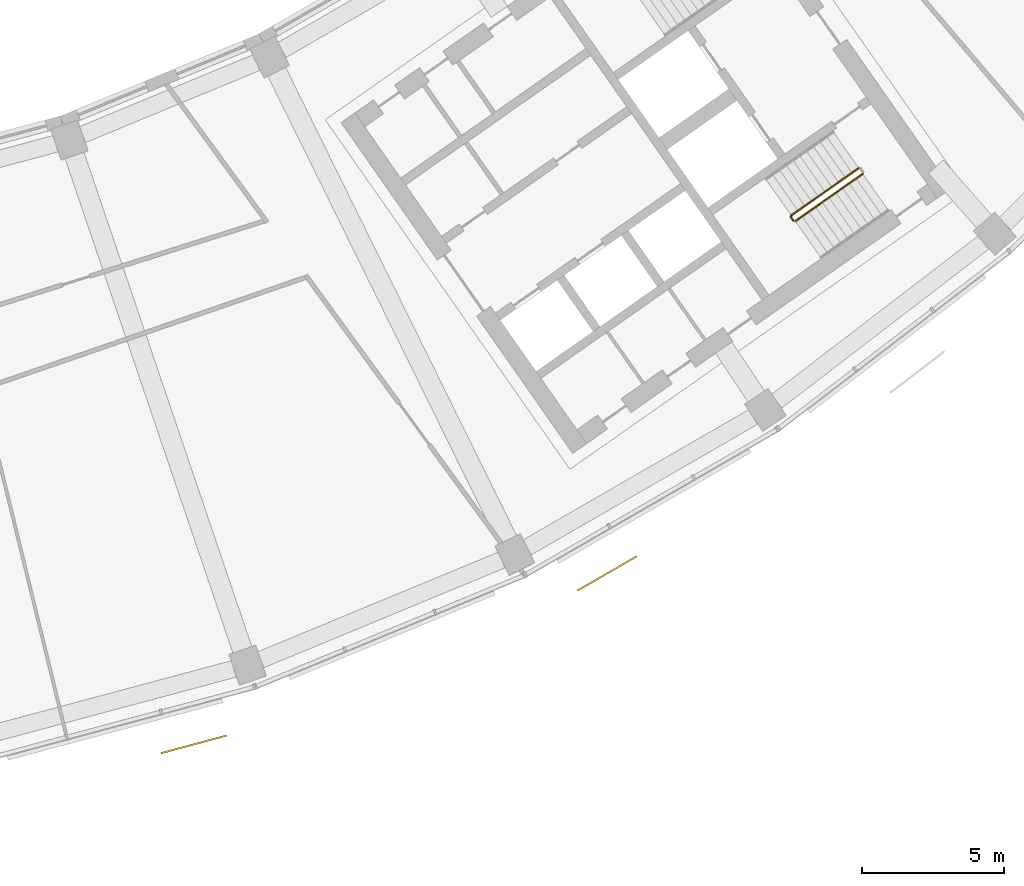
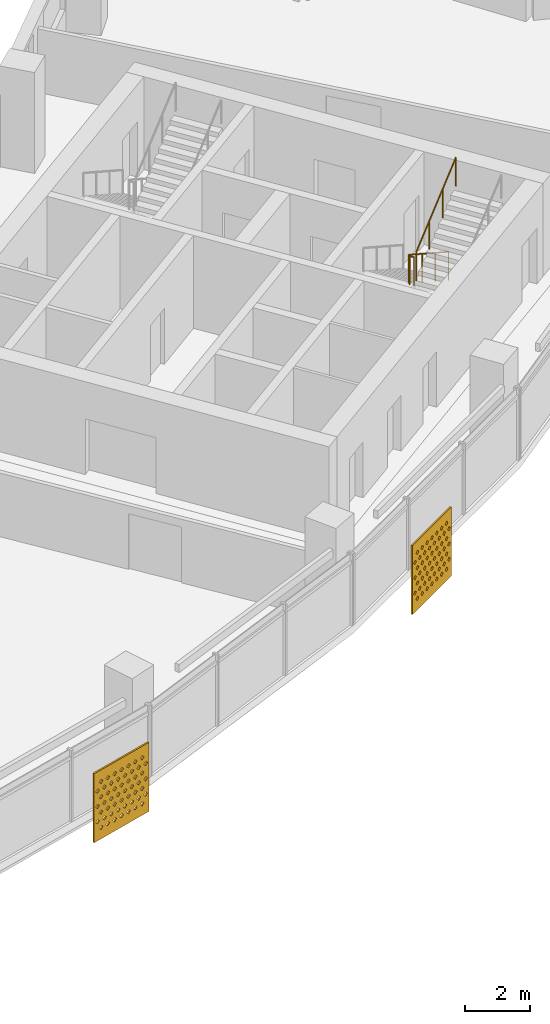
# One storey, part 26 of 28: 2 railings, 2 shading devices.
"""IFC4 building model written with IfcOpenShell, lengths in metres."""

import ifcopenshell
import ifcopenshell.guid

model = None  # the IFC model being written
_history = None  # IfcOwnerHistory: only IFC2X3 demands one
_inside = {}  # id of a spatial element -> (the spatial element, [elements in it])
_under = {}  # id of a project, library or spatial element -> (it, [spatial elements below it])
_declared = {}  # id of a project -> (the project, [libraries it declares])
_typed = {}  # id of a type object -> (the type object, [elements of that type])
_made_of = {}  # id of a material, layer set ... -> (it, [elements and type objects made of it])


def new_model(schema):
    """Start an empty IFC model of exactly this schema.

    Asked for "IFC4X3", IfcOpenShell would pick the latest addendum, in which some entities
    have other attributes; the version numbers below select the first issue.
    IFC2X3 requires an IfcOwnerHistory on every rooted entity: one is made here for all.
    """
    global model, _history
    if schema == "IFC4X3":
        model = ifcopenshell.file(schema_version=(4, 3, 0, 0))
    else:
        model = ifcopenshell.file(schema=schema)
    _inside.clear()
    _under.clear()
    _declared.clear()
    _typed.clear()
    _made_of.clear()
    _history = None
    if model.schema == "IFC2X3":
        org = make("IfcOrganization", Name="unknown")
        user = make(
            "IfcPersonAndOrganization",
            ThePerson=make("IfcPerson", FamilyName="unknown"),
            TheOrganization=org,
        )
        app = make(
            "IfcApplication",
            ApplicationDeveloper=org,
            Version="unknown",
            ApplicationFullName="unknown",
            ApplicationIdentifier="unknown",
        )
        _history = make(
            "IfcOwnerHistory",
            OwningUser=user,
            OwningApplication=app,
            ChangeAction="ADDED",
            CreationDate=0,
        )
    return model


def make(cls, **values):
    """One entity of the class cls with the attributes given. An attribute that is None is left unset."""
    return model.create_entity(
        cls, **{name: value for name, value in values.items() if value is not None}
    )


def rooted(cls, **values):
    """An entity with a GlobalId (a new one), such as an element, a storey or a relation."""
    return make(cls, GlobalId=ifcopenshell.guid.new(), OwnerHistory=_history, **values)


def si_unit(unit_type, name, prefix=None):
    """IfcSIUnit, for example si_unit("LENGTHUNIT", "METRE", prefix="MILLI")."""
    return make("IfcSIUnit", UnitType=unit_type, Prefix=prefix, Name=name)


def assignment(units):
    """IfcUnitAssignment: the units of a project."""
    return None if units is None else make("IfcUnitAssignment", Units=units)


def point(xyz):
    """IfcCartesianPoint."""
    return None if xyz is None else make("IfcCartesianPoint", Coordinates=xyz)


def direction(xyz):
    """IfcDirection."""
    return None if xyz is None else make("IfcDirection", DirectionRatios=xyz)


def frame(location, z_axis=None, x_axis=None):
    """IfcAxis2Placement3D, a coordinate frame: its origin and axes. An axis left out is left unset."""
    return make(
        "IfcAxis2Placement3D",
        Location=point(location),
        Axis=direction(z_axis),
        RefDirection=direction(x_axis),
    )


def frame_2d(location, x_axis=None):
    """IfcAxis2Placement2D, a coordinate frame in the plane: its origin and x axis."""
    return make(
        "IfcAxis2Placement2D", Location=point(location), RefDirection=direction(x_axis)
    )


def origin():
    """The frame at (0, 0, 0) with its axes left unset."""
    return frame((0.0, 0.0, 0.0))


def origin_2d():
    """The frame at (0, 0) in the plane with its x axis left unset."""
    return frame_2d((0.0, 0.0))


def place(relative_to, where):
    """IfcLocalPlacement: puts the frame where relative to a parent placement (None: the world)."""
    return make(
        "IfcLocalPlacement", PlacementRelTo=relative_to, RelativePlacement=where
    )


def context(
    kind, dimensions, precision=None, world=None, true_north=None, identifier=None
):
    """IfcGeometricRepresentationContext, for example the 3D "Model" context."""
    return make(
        "IfcGeometricRepresentationContext",
        ContextIdentifier=identifier,
        ContextType=kind,
        CoordinateSpaceDimension=dimensions,
        Precision=precision,
        WorldCoordinateSystem=world,
        TrueNorth=true_north,
    )


def subcontext(parent, identifier, kind, view, scale=None):
    """IfcGeometricRepresentationSubContext, for example "Body" below "Model"."""
    return make(
        "IfcGeometricRepresentationSubContext",
        ContextIdentifier=identifier,
        ContextType=kind,
        ParentContext=parent,
        TargetScale=scale,
        TargetView=view,
    )


def project(units=None, contexts=None):
    """IfcProject with its units and contexts."""
    return rooted(
        "IfcProject",
        Name="project",
        RepresentationContexts=contexts,
        UnitsInContext=assignment(units),
    )


def spatial(cls, under=None, at=None, **own):
    """A site, building, storey or space (cls), placed at a placement, below another one or the project."""
    s = rooted(cls, ObjectPlacement=at, **own)
    if under is not None:
        _under.setdefault(under.id(), (under, []))[1].append(s)
    return s


def polyline(points):
    """IfcPolyline through the points."""
    return make("IfcPolyline", Points=[point(p) for p in points])


def profile(cls, at=None, kind="AREA", **sizes):
    """A parametric profile (cls). Its sizes go by their IFC names, for example OverallWidth=200.0."""
    return make(cls, ProfileType=kind, Position=at, **sizes)


def circle(**sizes):
    """IfcCircleProfileDef."""
    return profile("IfcCircleProfileDef", **sizes)


def outline(outer, holes=None, kind="AREA"):
    """IfcArbitraryClosedProfileDef: a profile drawn as a closed curve; with holes, ...WithVoids."""
    if holes is None:
        return make("IfcArbitraryClosedProfileDef", ProfileType=kind, OuterCurve=outer)
    return make(
        "IfcArbitraryProfileDefWithVoids",
        ProfileType=kind,
        OuterCurve=outer,
        InnerCurves=holes,
    )


def extrude(swept, where, along, depth):
    """IfcExtrudedAreaSolid: the profile swept, set in the frame where, extruded along a direction by depth."""
    return make(
        "IfcExtrudedAreaSolid",
        SweptArea=swept,
        Position=where,
        ExtrudedDirection=direction(along),
        Depth=depth,
    )


def shape(context_of_items, identifier, shape_type, items):
    """IfcShapeRepresentation: the items that make up one representation, for example the "Body"."""
    return make(
        "IfcShapeRepresentation",
        ContextOfItems=context_of_items,
        RepresentationIdentifier=identifier,
        RepresentationType=shape_type,
        Items=items,
    )


def material(Name=None, Category=None):
    """IfcMaterial."""
    return make("IfcMaterial", Name=Name, Category=Category)


def material_profile(
    of_material, cross_section, Name=None, Category=None, Priority=None
):
    """IfcMaterialProfile: a cross section and its material."""
    return make(
        "IfcMaterialProfile",
        Name=Name,
        Material=of_material,
        Profile=cross_section,
        Priority=Priority,
        Category=Category,
    )


def profile_set(profiles, Name=None, composite=None):
    """IfcMaterialProfileSet."""
    return make(
        "IfcMaterialProfileSet",
        Name=Name,
        MaterialProfiles=profiles,
        CompositeProfile=composite,
    )


def made_of(thing, what):
    """Note that an element or type object is made of a material, layer set ...; save() writes the relation."""
    if what is not None:
        _made_of.setdefault(what.id(), (what, []))[1].append(thing)
    return thing


def type_object(cls, material=None, **own):
    """A type object (cls), such as IfcWallType, which elements share."""
    return made_of(rooted(cls, **own), material)


def element(
    cls,
    number,
    at=None,
    inside=None,
    cuts=None,
    type_object=None,
    material=None,
    context=None,
    identifier="Body",
    shape_type=None,
    held_by="IfcProductDefinitionShape",
    body=None,
    shapes=None,
    **own,
):
    """One element of the class cls, such as IfcWall. Its Tag is "e" and its number.

    at: its placement. inside: the storey or other place that contains it. cuts: it is an
    opening in that element (IfcRelVoidsElement). A single representation is given by context,
    identifier, shape_type and body (its items); several are given by shapes. held_by: the class
    of the entity that holds the representations. save() writes the other relations.
    """
    e = rooted(cls, Tag="e%d" % number, ObjectPlacement=at, **own)
    if body is not None:
        shapes = [shape(context, identifier, shape_type, body)]
    if shapes is not None:
        e.Representation = make(held_by, Representations=shapes)
    if inside is not None:
        _inside.setdefault(inside.id(), (inside, []))[1].append(e)
    if cuts is not None:
        rooted(
            "IfcRelVoidsElement", RelatingBuildingElement=cuts, RelatedOpeningElement=e
        )
    if type_object is not None:
        _typed.setdefault(type_object.id(), (type_object, []))[1].append(e)
    return made_of(e, material)


def aggregate(whole, parts):
    """IfcRelAggregates: a whole, such as a stair, and the parts it consists of."""
    return rooted("IfcRelAggregates", RelatingObject=whole, RelatedObjects=parts)


def save(model, path):
    """Write the relations noted so far, then the file.

    IfcRelAggregates (storeys below a building ...), IfcRelContainedInSpatialStructure (elements
    in a storey), IfcRelDefinesByType, IfcRelAssociatesMaterial and IfcRelDeclares: one each for
    every whole, place, type object, material and project.
    """
    for whole, parts in _under.values():
        aggregate(whole, parts)
    for where, things in _inside.values():
        rooted(
            "IfcRelContainedInSpatialStructure",
            RelatedElements=things,
            RelatingStructure=where,
        )
    for kind, things in _typed.values():
        rooted("IfcRelDefinesByType", RelatedObjects=things, RelatingType=kind)
    for what, things in _made_of.values():
        rooted("IfcRelAssociatesMaterial", RelatedObjects=things, RelatingMaterial=what)
    for by, libraries in _declared.values():
        rooted("IfcRelDeclares", RelatingContext=by, RelatedDefinitions=libraries)
    model.write(path)


model = new_model("IFC4")

# Units and contexts
model_context = context("Model", 3, precision=1e-05, world=origin(), true_north=direction((0.0, 1.0)))
body_context = subcontext(model_context, "Body", "Model", "MODEL_VIEW")
ifc_project = project(units=[si_unit("LENGTHUNIT", "METRE"), si_unit("AREAUNIT", "SQUARE_METRE"), si_unit("VOLUMEUNIT", "CUBIC_METRE"), si_unit("PLANEANGLEUNIT", "RADIAN"), si_unit("MASSUNIT", "GRAM", prefix="KILO")], contexts=[model_context])

# Site, building, storey
site_placement = place(None, origin())
site = spatial("IfcSite", under=ifc_project, at=site_placement, CompositionType="ELEMENT")
building_placement = place(site_placement, origin())
building = spatial("IfcBuilding", under=site, at=building_placement, Name="Qamariyya Broadcast Tower", CompositionType="ELEMENT")
storey_placement = place(building_placement, frame((0.0, 0.0, 245.5)))
storey = spatial("IfcBuildingStorey", under=building, at=storey_placement, Name="L59", CompositionType="ELEMENT", Elevation=245.5)

# Shading devices
ifc_material_1 = material(Name="Perforated glazed terracotta", Category="masonry")
ifc_material_profile = material_profile(ifc_material_1, outline(polyline([(-1.199951171875, -1.300048828125), (1.199951171875, -1.300048828125), (1.199951171875, 1.300048828125), (-1.199951171875, 1.300048828125), (-1.199951171875, -1.300048828125)]), holes=[polyline([(-0.81494140625, -0.86669921875), (-0.89990234375, -0.78173828125), (-0.985107421875, -0.86669921875), (-0.89990234375, -0.95166015625), (-0.81494140625, -0.86669921875)]), polyline([(-0.514892578125, -0.86669921875), (-0.60009765625, -0.78173828125), (-0.68505859375, -0.86669921875), (-0.60009765625, -0.95166015625), (-0.514892578125, -0.86669921875)]), polyline([(-0.215087890625, -0.86669921875), (-0.300048828125, -0.78173828125), (-0.385009765625, -0.86669921875), (-0.300048828125, -0.95166015625), (-0.215087890625, -0.86669921875)]), polyline([(0.0849609375, -0.86669921875), (0.0, -0.78173828125), (-0.0849609375, -0.86669921875), (0.0, -0.95166015625), (0.0849609375, -0.86669921875)]), polyline([(0.385009765625, -0.86669921875), (0.300048828125, -0.78173828125), (0.215087890625, -0.86669921875), (0.300048828125, -0.95166015625), (0.385009765625, -0.86669921875)]), polyline([(0.68505859375, -0.86669921875), (0.60009765625, -0.78173828125), (0.514892578125, -0.86669921875), (0.60009765625, -0.95166015625), (0.68505859375, -0.86669921875)]), polyline([(0.985107421875, -0.86669921875), (0.89990234375, -0.78173828125), (0.81494140625, -0.86669921875), (0.89990234375, -0.95166015625), (0.985107421875, -0.86669921875)]), polyline([(-0.965087890625, -0.577880859375), (-1.050048828125, -0.49267578125), (-1.135009765625, -0.577880859375), (-1.050048828125, -0.662841796875), (-0.965087890625, -0.577880859375)]), polyline([(-0.6650390625, -0.577880859375), (-0.75, -0.49267578125), (-0.8349609375, -0.577880859375), (-0.75, -0.662841796875), (-0.6650390625, -0.577880859375)]), polyline([(-0.364990234375, -0.577880859375), (-0.449951171875, -0.49267578125), (-0.534912109375, -0.577880859375), (-0.449951171875, -0.662841796875), (-0.364990234375, -0.577880859375)]), polyline([(-0.06494140625, -0.577880859375), (-0.14990234375, -0.49267578125), (-0.235107421875, -0.577880859375), (-0.14990234375, -0.662841796875), (-0.06494140625, -0.577880859375)]), polyline([(0.235107421875, -0.577880859375), (0.14990234375, -0.49267578125), (0.06494140625, -0.577880859375), (0.14990234375, -0.662841796875), (0.235107421875, -0.577880859375)]), polyline([(0.534912109375, -0.577880859375), (0.449951171875, -0.49267578125), (0.364990234375, -0.577880859375), (0.449951171875, -0.662841796875), (0.534912109375, -0.577880859375)]), polyline([(0.8349609375, -0.577880859375), (0.75, -0.49267578125), (0.6650390625, -0.577880859375), (0.75, -0.662841796875), (0.8349609375, -0.577880859375)]), polyline([(1.135009765625, -0.577880859375), (1.050048828125, -0.49267578125), (0.965087890625, -0.577880859375), (1.050048828125, -0.662841796875), (1.135009765625, -0.577880859375)]), polyline([(-0.81494140625, -0.288818359375), (-0.89990234375, -0.203857421875), (-0.985107421875, -0.288818359375), (-0.89990234375, -0.373779296875), (-0.81494140625, -0.288818359375)]), polyline([(-0.514892578125, -0.288818359375), (-0.60009765625, -0.203857421875), (-0.68505859375, -0.288818359375), (-0.60009765625, -0.373779296875), (-0.514892578125, -0.288818359375)]), polyline([(-0.215087890625, -0.288818359375), (-0.300048828125, -0.203857421875), (-0.385009765625, -0.288818359375), (-0.300048828125, -0.373779296875), (-0.215087890625, -0.288818359375)]), polyline([(0.0849609375, -0.288818359375), (0.0, -0.203857421875), (-0.0849609375, -0.288818359375), (0.0, -0.373779296875), (0.0849609375, -0.288818359375)]), polyline([(0.385009765625, -0.288818359375), (0.300048828125, -0.203857421875), (0.215087890625, -0.288818359375), (0.300048828125, -0.373779296875), (0.385009765625, -0.288818359375)]), polyline([(0.68505859375, -0.288818359375), (0.60009765625, -0.203857421875), (0.514892578125, -0.288818359375), (0.60009765625, -0.373779296875), (0.68505859375, -0.288818359375)]), polyline([(0.985107421875, -0.288818359375), (0.89990234375, -0.203857421875), (0.81494140625, -0.288818359375), (0.89990234375, -0.373779296875), (0.985107421875, -0.288818359375)]), polyline([(-0.965087890625, 0.0), (-1.050048828125, 0.0849609375), (-1.135009765625, 0.0), (-1.050048828125, -0.0849609375), (-0.965087890625, 0.0)]), polyline([(-0.6650390625, 0.0), (-0.75, 0.0849609375), (-0.8349609375, 0.0), (-0.75, -0.0849609375), (-0.6650390625, 0.0)]), polyline([(-0.364990234375, 0.0), (-0.449951171875, 0.0849609375), (-0.534912109375, 0.0), (-0.449951171875, -0.0849609375), (-0.364990234375, 0.0)]), polyline([(-0.06494140625, 0.0), (-0.14990234375, 0.0849609375), (-0.235107421875, 0.0), (-0.14990234375, -0.0849609375), (-0.06494140625, 0.0)]), polyline([(0.235107421875, 0.0), (0.14990234375, 0.0849609375), (0.06494140625, 0.0), (0.14990234375, -0.0849609375), (0.235107421875, 0.0)]), polyline([(0.534912109375, 0.0), (0.449951171875, 0.0849609375), (0.364990234375, 0.0), (0.449951171875, -0.0849609375), (0.534912109375, 0.0)]), polyline([(0.8349609375, 0.0), (0.75, 0.0849609375), (0.6650390625, 0.0), (0.75, -0.0849609375), (0.8349609375, 0.0)]), polyline([(1.135009765625, 0.0), (1.050048828125, 0.0849609375), (0.965087890625, 0.0), (1.050048828125, -0.0849609375), (1.135009765625, 0.0)]), polyline([(-0.81494140625, 0.288818359375), (-0.89990234375, 0.373779296875), (-0.985107421875, 0.288818359375), (-0.89990234375, 0.203857421875), (-0.81494140625, 0.288818359375)]), polyline([(-0.514892578125, 0.288818359375), (-0.60009765625, 0.373779296875), (-0.68505859375, 0.288818359375), (-0.60009765625, 0.203857421875), (-0.514892578125, 0.288818359375)]), polyline([(-0.215087890625, 0.288818359375), (-0.300048828125, 0.373779296875), (-0.385009765625, 0.288818359375), (-0.300048828125, 0.203857421875), (-0.215087890625, 0.288818359375)]), polyline([(0.0849609375, 0.288818359375), (0.0, 0.373779296875), (-0.0849609375, 0.288818359375), (0.0, 0.203857421875), (0.0849609375, 0.288818359375)]), polyline([(0.385009765625, 0.288818359375), (0.300048828125, 0.373779296875), (0.215087890625, 0.288818359375), (0.300048828125, 0.203857421875), (0.385009765625, 0.288818359375)]), polyline([(0.68505859375, 0.288818359375), (0.60009765625, 0.373779296875), (0.514892578125, 0.288818359375), (0.60009765625, 0.203857421875), (0.68505859375, 0.288818359375)]), polyline([(0.985107421875, 0.288818359375), (0.89990234375, 0.373779296875), (0.81494140625, 0.288818359375), (0.89990234375, 0.203857421875), (0.985107421875, 0.288818359375)]), polyline([(-0.965087890625, 0.577880859375), (-1.050048828125, 0.662841796875), (-1.135009765625, 0.577880859375), (-1.050048828125, 0.49267578125), (-0.965087890625, 0.577880859375)]), polyline([(-0.6650390625, 0.577880859375), (-0.75, 0.662841796875), (-0.8349609375, 0.577880859375), (-0.75, 0.49267578125), (-0.6650390625, 0.577880859375)]), polyline([(-0.364990234375, 0.577880859375), (-0.449951171875, 0.662841796875), (-0.534912109375, 0.577880859375), (-0.449951171875, 0.49267578125), (-0.364990234375, 0.577880859375)]), polyline([(-0.06494140625, 0.577880859375), (-0.14990234375, 0.662841796875), (-0.235107421875, 0.577880859375), (-0.14990234375, 0.49267578125), (-0.06494140625, 0.577880859375)]), polyline([(0.235107421875, 0.577880859375), (0.14990234375, 0.662841796875), (0.06494140625, 0.577880859375), (0.14990234375, 0.49267578125), (0.235107421875, 0.577880859375)]), polyline([(0.534912109375, 0.577880859375), (0.449951171875, 0.662841796875), (0.364990234375, 0.577880859375), (0.449951171875, 0.49267578125), (0.534912109375, 0.577880859375)]), polyline([(0.8349609375, 0.577880859375), (0.75, 0.662841796875), (0.6650390625, 0.577880859375), (0.75, 0.49267578125), (0.8349609375, 0.577880859375)]), polyline([(1.135009765625, 0.577880859375), (1.050048828125, 0.662841796875), (0.965087890625, 0.577880859375), (1.050048828125, 0.49267578125), (1.135009765625, 0.577880859375)]), polyline([(-0.81494140625, 0.86669921875), (-0.89990234375, 0.95166015625), (-0.985107421875, 0.86669921875), (-0.89990234375, 0.78173828125), (-0.81494140625, 0.86669921875)]), polyline([(-0.514892578125, 0.86669921875), (-0.60009765625, 0.95166015625), (-0.68505859375, 0.86669921875), (-0.60009765625, 0.78173828125), (-0.514892578125, 0.86669921875)]), polyline([(-0.215087890625, 0.86669921875), (-0.300048828125, 0.95166015625), (-0.385009765625, 0.86669921875), (-0.300048828125, 0.78173828125), (-0.215087890625, 0.86669921875)]), polyline([(0.0849609375, 0.86669921875), (0.0, 0.95166015625), (-0.0849609375, 0.86669921875), (0.0, 0.78173828125), (0.0849609375, 0.86669921875)]), polyline([(0.385009765625, 0.86669921875), (0.300048828125, 0.95166015625), (0.215087890625, 0.86669921875), (0.300048828125, 0.78173828125), (0.385009765625, 0.86669921875)]), polyline([(0.68505859375, 0.86669921875), (0.60009765625, 0.95166015625), (0.514892578125, 0.86669921875), (0.60009765625, 0.78173828125), (0.68505859375, 0.86669921875)]), polyline([(0.985107421875, 0.86669921875), (0.89990234375, 0.95166015625), (0.81494140625, 0.86669921875), (0.89990234375, 0.78173828125), (0.985107421875, 0.86669921875)])]))
ifc_profile_set = profile_set([ifc_material_profile], Name="Perforated glazed terracotta")
shading_device_type = type_object("IfcShadingDeviceType", Name="Perforated terracotta screen 2400 x 2600", PredefinedType="USERDEFINED", material=ifc_profile_set)
shading_device_1_placement = place(storey_placement, frame((23.0908203125, -76.377685546875, 1.35009765625), z_axis=(0.259682438219, -0.965694067125, 0.0), x_axis=(0.965694067125, 0.259682438219, 0.0)))
element("IfcShadingDevice", 1, at=shading_device_1_placement, inside=storey, type_object=shading_device_type, Name="e-scr-L59-10-2", ObjectType="SCREEN", PredefinedType="USERDEFINED", context=body_context, shape_type="SweptSolid", body=[
    extrude(outline(polyline([(-1.199951171875, -1.300048828125), (1.199951171875, -1.300048828125), (1.199951171875, 1.300048828125), (-1.199951171875, 1.300048828125), (-1.199951171875, -1.300048828125)]), holes=[polyline([(-0.81494140625, -0.86669921875), (-0.89990234375, -0.78173828125), (-0.985107421875, -0.86669921875), (-0.89990234375, -0.95166015625), (-0.81494140625, -0.86669921875)]), polyline([(-0.514892578125, -0.86669921875), (-0.60009765625, -0.78173828125), (-0.68505859375, -0.86669921875), (-0.60009765625, -0.95166015625), (-0.514892578125, -0.86669921875)]), polyline([(-0.215087890625, -0.86669921875), (-0.300048828125, -0.78173828125), (-0.385009765625, -0.86669921875), (-0.300048828125, -0.95166015625), (-0.215087890625, -0.86669921875)]), polyline([(0.0849609375, -0.86669921875), (0.0, -0.78173828125), (-0.0849609375, -0.86669921875), (0.0, -0.95166015625), (0.0849609375, -0.86669921875)]), polyline([(0.385009765625, -0.86669921875), (0.300048828125, -0.78173828125), (0.215087890625, -0.86669921875), (0.300048828125, -0.95166015625), (0.385009765625, -0.86669921875)]), polyline([(0.68505859375, -0.86669921875), (0.60009765625, -0.78173828125), (0.514892578125, -0.86669921875), (0.60009765625, -0.95166015625), (0.68505859375, -0.86669921875)]), polyline([(0.985107421875, -0.86669921875), (0.89990234375, -0.78173828125), (0.81494140625, -0.86669921875), (0.89990234375, -0.95166015625), (0.985107421875, -0.86669921875)]), polyline([(-0.965087890625, -0.577880859375), (-1.050048828125, -0.49267578125), (-1.135009765625, -0.577880859375), (-1.050048828125, -0.662841796875), (-0.965087890625, -0.577880859375)]), polyline([(-0.6650390625, -0.577880859375), (-0.75, -0.49267578125), (-0.8349609375, -0.577880859375), (-0.75, -0.662841796875), (-0.6650390625, -0.577880859375)]), polyline([(-0.364990234375, -0.577880859375), (-0.449951171875, -0.49267578125), (-0.534912109375, -0.577880859375), (-0.449951171875, -0.662841796875), (-0.364990234375, -0.577880859375)]), polyline([(-0.06494140625, -0.577880859375), (-0.14990234375, -0.49267578125), (-0.235107421875, -0.577880859375), (-0.14990234375, -0.662841796875), (-0.06494140625, -0.577880859375)]), polyline([(0.235107421875, -0.577880859375), (0.14990234375, -0.49267578125), (0.06494140625, -0.577880859375), (0.14990234375, -0.662841796875), (0.235107421875, -0.577880859375)]), polyline([(0.534912109375, -0.577880859375), (0.449951171875, -0.49267578125), (0.364990234375, -0.577880859375), (0.449951171875, -0.662841796875), (0.534912109375, -0.577880859375)]), polyline([(0.8349609375, -0.577880859375), (0.75, -0.49267578125), (0.6650390625, -0.577880859375), (0.75, -0.662841796875), (0.8349609375, -0.577880859375)]), polyline([(1.135009765625, -0.577880859375), (1.050048828125, -0.49267578125), (0.965087890625, -0.577880859375), (1.050048828125, -0.662841796875), (1.135009765625, -0.577880859375)]), polyline([(-0.81494140625, -0.288818359375), (-0.89990234375, -0.203857421875), (-0.985107421875, -0.288818359375), (-0.89990234375, -0.373779296875), (-0.81494140625, -0.288818359375)]), polyline([(-0.514892578125, -0.288818359375), (-0.60009765625, -0.203857421875), (-0.68505859375, -0.288818359375), (-0.60009765625, -0.373779296875), (-0.514892578125, -0.288818359375)]), polyline([(-0.215087890625, -0.288818359375), (-0.300048828125, -0.203857421875), (-0.385009765625, -0.288818359375), (-0.300048828125, -0.373779296875), (-0.215087890625, -0.288818359375)]), polyline([(0.0849609375, -0.288818359375), (0.0, -0.203857421875), (-0.0849609375, -0.288818359375), (0.0, -0.373779296875), (0.0849609375, -0.288818359375)]), polyline([(0.385009765625, -0.288818359375), (0.300048828125, -0.203857421875), (0.215087890625, -0.288818359375), (0.300048828125, -0.373779296875), (0.385009765625, -0.288818359375)]), polyline([(0.68505859375, -0.288818359375), (0.60009765625, -0.203857421875), (0.514892578125, -0.288818359375), (0.60009765625, -0.373779296875), (0.68505859375, -0.288818359375)]), polyline([(0.985107421875, -0.288818359375), (0.89990234375, -0.203857421875), (0.81494140625, -0.288818359375), (0.89990234375, -0.373779296875), (0.985107421875, -0.288818359375)]), polyline([(-0.965087890625, 0.0), (-1.050048828125, 0.0849609375), (-1.135009765625, 0.0), (-1.050048828125, -0.0849609375), (-0.965087890625, 0.0)]), polyline([(-0.6650390625, 0.0), (-0.75, 0.0849609375), (-0.8349609375, 0.0), (-0.75, -0.0849609375), (-0.6650390625, 0.0)]), polyline([(-0.364990234375, 0.0), (-0.449951171875, 0.0849609375), (-0.534912109375, 0.0), (-0.449951171875, -0.0849609375), (-0.364990234375, 0.0)]), polyline([(-0.06494140625, 0.0), (-0.14990234375, 0.0849609375), (-0.235107421875, 0.0), (-0.14990234375, -0.0849609375), (-0.06494140625, 0.0)]), polyline([(0.235107421875, 0.0), (0.14990234375, 0.0849609375), (0.06494140625, 0.0), (0.14990234375, -0.0849609375), (0.235107421875, 0.0)]), polyline([(0.534912109375, 0.0), (0.449951171875, 0.0849609375), (0.364990234375, 0.0), (0.449951171875, -0.0849609375), (0.534912109375, 0.0)]), polyline([(0.8349609375, 0.0), (0.75, 0.0849609375), (0.6650390625, 0.0), (0.75, -0.0849609375), (0.8349609375, 0.0)]), polyline([(1.135009765625, 0.0), (1.050048828125, 0.0849609375), (0.965087890625, 0.0), (1.050048828125, -0.0849609375), (1.135009765625, 0.0)]), polyline([(-0.81494140625, 0.288818359375), (-0.89990234375, 0.373779296875), (-0.985107421875, 0.288818359375), (-0.89990234375, 0.203857421875), (-0.81494140625, 0.288818359375)]), polyline([(-0.514892578125, 0.288818359375), (-0.60009765625, 0.373779296875), (-0.68505859375, 0.288818359375), (-0.60009765625, 0.203857421875), (-0.514892578125, 0.288818359375)]), polyline([(-0.215087890625, 0.288818359375), (-0.300048828125, 0.373779296875), (-0.385009765625, 0.288818359375), (-0.300048828125, 0.203857421875), (-0.215087890625, 0.288818359375)]), polyline([(0.0849609375, 0.288818359375), (0.0, 0.373779296875), (-0.0849609375, 0.288818359375), (0.0, 0.203857421875), (0.0849609375, 0.288818359375)]), polyline([(0.385009765625, 0.288818359375), (0.300048828125, 0.373779296875), (0.215087890625, 0.288818359375), (0.300048828125, 0.203857421875), (0.385009765625, 0.288818359375)]), polyline([(0.68505859375, 0.288818359375), (0.60009765625, 0.373779296875), (0.514892578125, 0.288818359375), (0.60009765625, 0.203857421875), (0.68505859375, 0.288818359375)]), polyline([(0.985107421875, 0.288818359375), (0.89990234375, 0.373779296875), (0.81494140625, 0.288818359375), (0.89990234375, 0.203857421875), (0.985107421875, 0.288818359375)]), polyline([(-0.965087890625, 0.577880859375), (-1.050048828125, 0.662841796875), (-1.135009765625, 0.577880859375), (-1.050048828125, 0.49267578125), (-0.965087890625, 0.577880859375)]), polyline([(-0.6650390625, 0.577880859375), (-0.75, 0.662841796875), (-0.8349609375, 0.577880859375), (-0.75, 0.49267578125), (-0.6650390625, 0.577880859375)]), polyline([(-0.364990234375, 0.577880859375), (-0.449951171875, 0.662841796875), (-0.534912109375, 0.577880859375), (-0.449951171875, 0.49267578125), (-0.364990234375, 0.577880859375)]), polyline([(-0.06494140625, 0.577880859375), (-0.14990234375, 0.662841796875), (-0.235107421875, 0.577880859375), (-0.14990234375, 0.49267578125), (-0.06494140625, 0.577880859375)]), polyline([(0.235107421875, 0.577880859375), (0.14990234375, 0.662841796875), (0.06494140625, 0.577880859375), (0.14990234375, 0.49267578125), (0.235107421875, 0.577880859375)]), polyline([(0.534912109375, 0.577880859375), (0.449951171875, 0.662841796875), (0.364990234375, 0.577880859375), (0.449951171875, 0.49267578125), (0.534912109375, 0.577880859375)]), polyline([(0.8349609375, 0.577880859375), (0.75, 0.662841796875), (0.6650390625, 0.577880859375), (0.75, 0.49267578125), (0.8349609375, 0.577880859375)]), polyline([(1.135009765625, 0.577880859375), (1.050048828125, 0.662841796875), (0.965087890625, 0.577880859375), (1.050048828125, 0.49267578125), (1.135009765625, 0.577880859375)]), polyline([(-0.81494140625, 0.86669921875), (-0.89990234375, 0.95166015625), (-0.985107421875, 0.86669921875), (-0.89990234375, 0.78173828125), (-0.81494140625, 0.86669921875)]), polyline([(-0.514892578125, 0.86669921875), (-0.60009765625, 0.95166015625), (-0.68505859375, 0.86669921875), (-0.60009765625, 0.78173828125), (-0.514892578125, 0.86669921875)]), polyline([(-0.215087890625, 0.86669921875), (-0.300048828125, 0.95166015625), (-0.385009765625, 0.86669921875), (-0.300048828125, 0.78173828125), (-0.215087890625, 0.86669921875)]), polyline([(0.0849609375, 0.86669921875), (0.0, 0.95166015625), (-0.0849609375, 0.86669921875), (0.0, 0.78173828125), (0.0849609375, 0.86669921875)]), polyline([(0.385009765625, 0.86669921875), (0.300048828125, 0.95166015625), (0.215087890625, 0.86669921875), (0.300048828125, 0.78173828125), (0.385009765625, 0.86669921875)]), polyline([(0.68505859375, 0.86669921875), (0.60009765625, 0.95166015625), (0.514892578125, 0.86669921875), (0.60009765625, 0.78173828125), (0.68505859375, 0.86669921875)]), polyline([(0.985107421875, 0.86669921875), (0.89990234375, 0.95166015625), (0.81494140625, 0.86669921875), (0.89990234375, 0.78173828125), (0.985107421875, 0.86669921875)])]), origin(), (0.0, 0.0, 1.0), 0.06005859375),
])
shading_device_2_placement = place(storey_placement, frame((37.6171875, -70.370849609375, 1.35009765625), z_axis=(0.500074377092, -0.865982457891, 0.0), x_axis=(0.865982457891, 0.500074377092, 0.0)))
element("IfcShadingDevice", 2, at=shading_device_2_placement, inside=storey, type_object=shading_device_type, Name="e-scr-L59-12-0", ObjectType="SCREEN", PredefinedType="USERDEFINED", context=body_context, shape_type="SweptSolid", body=[
    extrude(outline(polyline([(-1.199951171875, -1.300048828125), (1.199951171875, -1.300048828125), (1.199951171875, 1.300048828125), (-1.199951171875, 1.300048828125), (-1.199951171875, -1.300048828125)]), holes=[polyline([(-0.81494140625, -0.86669921875), (-0.89990234375, -0.78173828125), (-0.985107421875, -0.86669921875), (-0.89990234375, -0.95166015625), (-0.81494140625, -0.86669921875)]), polyline([(-0.514892578125, -0.86669921875), (-0.60009765625, -0.78173828125), (-0.68505859375, -0.86669921875), (-0.60009765625, -0.95166015625), (-0.514892578125, -0.86669921875)]), polyline([(-0.215087890625, -0.86669921875), (-0.300048828125, -0.78173828125), (-0.385009765625, -0.86669921875), (-0.300048828125, -0.95166015625), (-0.215087890625, -0.86669921875)]), polyline([(0.0849609375, -0.86669921875), (0.0, -0.78173828125), (-0.0849609375, -0.86669921875), (0.0, -0.95166015625), (0.0849609375, -0.86669921875)]), polyline([(0.385009765625, -0.86669921875), (0.300048828125, -0.78173828125), (0.215087890625, -0.86669921875), (0.300048828125, -0.95166015625), (0.385009765625, -0.86669921875)]), polyline([(0.68505859375, -0.86669921875), (0.60009765625, -0.78173828125), (0.514892578125, -0.86669921875), (0.60009765625, -0.95166015625), (0.68505859375, -0.86669921875)]), polyline([(0.985107421875, -0.86669921875), (0.89990234375, -0.78173828125), (0.81494140625, -0.86669921875), (0.89990234375, -0.95166015625), (0.985107421875, -0.86669921875)]), polyline([(-0.965087890625, -0.577880859375), (-1.050048828125, -0.49267578125), (-1.135009765625, -0.577880859375), (-1.050048828125, -0.662841796875), (-0.965087890625, -0.577880859375)]), polyline([(-0.6650390625, -0.577880859375), (-0.75, -0.49267578125), (-0.8349609375, -0.577880859375), (-0.75, -0.662841796875), (-0.6650390625, -0.577880859375)]), polyline([(-0.364990234375, -0.577880859375), (-0.449951171875, -0.49267578125), (-0.534912109375, -0.577880859375), (-0.449951171875, -0.662841796875), (-0.364990234375, -0.577880859375)]), polyline([(-0.06494140625, -0.577880859375), (-0.14990234375, -0.49267578125), (-0.235107421875, -0.577880859375), (-0.14990234375, -0.662841796875), (-0.06494140625, -0.577880859375)]), polyline([(0.235107421875, -0.577880859375), (0.14990234375, -0.49267578125), (0.06494140625, -0.577880859375), (0.14990234375, -0.662841796875), (0.235107421875, -0.577880859375)]), polyline([(0.534912109375, -0.577880859375), (0.449951171875, -0.49267578125), (0.364990234375, -0.577880859375), (0.449951171875, -0.662841796875), (0.534912109375, -0.577880859375)]), polyline([(0.8349609375, -0.577880859375), (0.75, -0.49267578125), (0.6650390625, -0.577880859375), (0.75, -0.662841796875), (0.8349609375, -0.577880859375)]), polyline([(1.135009765625, -0.577880859375), (1.050048828125, -0.49267578125), (0.965087890625, -0.577880859375), (1.050048828125, -0.662841796875), (1.135009765625, -0.577880859375)]), polyline([(-0.81494140625, -0.288818359375), (-0.89990234375, -0.203857421875), (-0.985107421875, -0.288818359375), (-0.89990234375, -0.373779296875), (-0.81494140625, -0.288818359375)]), polyline([(-0.514892578125, -0.288818359375), (-0.60009765625, -0.203857421875), (-0.68505859375, -0.288818359375), (-0.60009765625, -0.373779296875), (-0.514892578125, -0.288818359375)]), polyline([(-0.215087890625, -0.288818359375), (-0.300048828125, -0.203857421875), (-0.385009765625, -0.288818359375), (-0.300048828125, -0.373779296875), (-0.215087890625, -0.288818359375)]), polyline([(0.0849609375, -0.288818359375), (0.0, -0.203857421875), (-0.0849609375, -0.288818359375), (0.0, -0.373779296875), (0.0849609375, -0.288818359375)]), polyline([(0.385009765625, -0.288818359375), (0.300048828125, -0.203857421875), (0.215087890625, -0.288818359375), (0.300048828125, -0.373779296875), (0.385009765625, -0.288818359375)]), polyline([(0.68505859375, -0.288818359375), (0.60009765625, -0.203857421875), (0.514892578125, -0.288818359375), (0.60009765625, -0.373779296875), (0.68505859375, -0.288818359375)]), polyline([(0.985107421875, -0.288818359375), (0.89990234375, -0.203857421875), (0.81494140625, -0.288818359375), (0.89990234375, -0.373779296875), (0.985107421875, -0.288818359375)]), polyline([(-0.965087890625, 0.0), (-1.050048828125, 0.0849609375), (-1.135009765625, 0.0), (-1.050048828125, -0.0849609375), (-0.965087890625, 0.0)]), polyline([(-0.6650390625, 0.0), (-0.75, 0.0849609375), (-0.8349609375, 0.0), (-0.75, -0.0849609375), (-0.6650390625, 0.0)]), polyline([(-0.364990234375, 0.0), (-0.449951171875, 0.0849609375), (-0.534912109375, 0.0), (-0.449951171875, -0.0849609375), (-0.364990234375, 0.0)]), polyline([(-0.06494140625, 0.0), (-0.14990234375, 0.0849609375), (-0.235107421875, 0.0), (-0.14990234375, -0.0849609375), (-0.06494140625, 0.0)]), polyline([(0.235107421875, 0.0), (0.14990234375, 0.0849609375), (0.06494140625, 0.0), (0.14990234375, -0.0849609375), (0.235107421875, 0.0)]), polyline([(0.534912109375, 0.0), (0.449951171875, 0.0849609375), (0.364990234375, 0.0), (0.449951171875, -0.0849609375), (0.534912109375, 0.0)]), polyline([(0.8349609375, 0.0), (0.75, 0.0849609375), (0.6650390625, 0.0), (0.75, -0.0849609375), (0.8349609375, 0.0)]), polyline([(1.135009765625, 0.0), (1.050048828125, 0.0849609375), (0.965087890625, 0.0), (1.050048828125, -0.0849609375), (1.135009765625, 0.0)]), polyline([(-0.81494140625, 0.288818359375), (-0.89990234375, 0.373779296875), (-0.985107421875, 0.288818359375), (-0.89990234375, 0.203857421875), (-0.81494140625, 0.288818359375)]), polyline([(-0.514892578125, 0.288818359375), (-0.60009765625, 0.373779296875), (-0.68505859375, 0.288818359375), (-0.60009765625, 0.203857421875), (-0.514892578125, 0.288818359375)]), polyline([(-0.215087890625, 0.288818359375), (-0.300048828125, 0.373779296875), (-0.385009765625, 0.288818359375), (-0.300048828125, 0.203857421875), (-0.215087890625, 0.288818359375)]), polyline([(0.0849609375, 0.288818359375), (0.0, 0.373779296875), (-0.0849609375, 0.288818359375), (0.0, 0.203857421875), (0.0849609375, 0.288818359375)]), polyline([(0.385009765625, 0.288818359375), (0.300048828125, 0.373779296875), (0.215087890625, 0.288818359375), (0.300048828125, 0.203857421875), (0.385009765625, 0.288818359375)]), polyline([(0.68505859375, 0.288818359375), (0.60009765625, 0.373779296875), (0.514892578125, 0.288818359375), (0.60009765625, 0.203857421875), (0.68505859375, 0.288818359375)]), polyline([(0.985107421875, 0.288818359375), (0.89990234375, 0.373779296875), (0.81494140625, 0.288818359375), (0.89990234375, 0.203857421875), (0.985107421875, 0.288818359375)]), polyline([(-0.965087890625, 0.577880859375), (-1.050048828125, 0.662841796875), (-1.135009765625, 0.577880859375), (-1.050048828125, 0.49267578125), (-0.965087890625, 0.577880859375)]), polyline([(-0.6650390625, 0.577880859375), (-0.75, 0.662841796875), (-0.8349609375, 0.577880859375), (-0.75, 0.49267578125), (-0.6650390625, 0.577880859375)]), polyline([(-0.364990234375, 0.577880859375), (-0.449951171875, 0.662841796875), (-0.534912109375, 0.577880859375), (-0.449951171875, 0.49267578125), (-0.364990234375, 0.577880859375)]), polyline([(-0.06494140625, 0.577880859375), (-0.14990234375, 0.662841796875), (-0.235107421875, 0.577880859375), (-0.14990234375, 0.49267578125), (-0.06494140625, 0.577880859375)]), polyline([(0.235107421875, 0.577880859375), (0.14990234375, 0.662841796875), (0.06494140625, 0.577880859375), (0.14990234375, 0.49267578125), (0.235107421875, 0.577880859375)]), polyline([(0.534912109375, 0.577880859375), (0.449951171875, 0.662841796875), (0.364990234375, 0.577880859375), (0.449951171875, 0.49267578125), (0.534912109375, 0.577880859375)]), polyline([(0.8349609375, 0.577880859375), (0.75, 0.662841796875), (0.6650390625, 0.577880859375), (0.75, 0.49267578125), (0.8349609375, 0.577880859375)]), polyline([(1.135009765625, 0.577880859375), (1.050048828125, 0.662841796875), (0.965087890625, 0.577880859375), (1.050048828125, 0.49267578125), (1.135009765625, 0.577880859375)]), polyline([(-0.81494140625, 0.86669921875), (-0.89990234375, 0.95166015625), (-0.985107421875, 0.86669921875), (-0.89990234375, 0.78173828125), (-0.81494140625, 0.86669921875)]), polyline([(-0.514892578125, 0.86669921875), (-0.60009765625, 0.95166015625), (-0.68505859375, 0.86669921875), (-0.60009765625, 0.78173828125), (-0.514892578125, 0.86669921875)]), polyline([(-0.215087890625, 0.86669921875), (-0.300048828125, 0.95166015625), (-0.385009765625, 0.86669921875), (-0.300048828125, 0.78173828125), (-0.215087890625, 0.86669921875)]), polyline([(0.0849609375, 0.86669921875), (0.0, 0.95166015625), (-0.0849609375, 0.86669921875), (0.0, 0.78173828125), (0.0849609375, 0.86669921875)]), polyline([(0.385009765625, 0.86669921875), (0.300048828125, 0.95166015625), (0.215087890625, 0.86669921875), (0.300048828125, 0.78173828125), (0.385009765625, 0.86669921875)]), polyline([(0.68505859375, 0.86669921875), (0.60009765625, 0.95166015625), (0.514892578125, 0.86669921875), (0.60009765625, 0.78173828125), (0.68505859375, 0.86669921875)]), polyline([(0.985107421875, 0.86669921875), (0.89990234375, 0.95166015625), (0.81494140625, 0.86669921875), (0.89990234375, 0.78173828125), (0.985107421875, 0.86669921875)])]), origin(), (0.0, 0.0, 1.0), 0.06005859375),
])

# Railings
ifc_material_2 = material(Name="Painted steel", Category="steel")
railing_type = type_object("IfcRailingType", Name="Stair guard", PredefinedType="GUARDRAIL", material=ifc_material_2)
railing_1_placement = place(storey_placement, frame((46.48095703125, -56.14306640625, 0.172607421875)))
element("IfcRailing", 3, at=railing_1_placement, inside=storey, type_object=railing_type, Name="L59 ST-E1 stair guard 1", PredefinedType="GUARDRAIL", context=body_context, shape_type="SweptSolid", body=[
    extrude(circle(Radius=0.02392578125, at=origin_2d()), frame((0.0, 0.0, 1.076171875), z_axis=(-0.703770094002, -0.492783725636, 0.511734163933), x_axis=(0.573575343427, -0.819152809562, 0.0)), (0.0, 0.0, 1.0), 3.37548828125),
    extrude(circle(Radius=0.02392578125, at=origin_2d()), frame((-2.37548828125, -1.663330078125, 2.80322265625), z_axis=(-0.176149252506, -0.984363469884, 0.0), x_axis=(0.984363469884, -0.176149252506, 0.0)), (0.0, 0.0, 1.0), 0.07080078125),
    extrude(circle(Radius=0.02392578125, at=origin_2d()), frame((-2.387939453125, -1.73291015625, 2.80322265625), z_axis=(0.574444878118, -0.818543268254, 0.0), x_axis=(0.818543268254, 0.574444878118, 0.0)), (0.0, 0.0, 1.0), 0.150146484375),
    extrude(circle(Radius=0.02099609375, at=origin_2d()), origin(), (0.0, 0.0, 1.0), 1.052001953125),
    extrude(circle(Radius=0.02099609375, at=origin_2d()), frame((-0.791748046875, -0.554443359375, 0.57568359375)), (0.0, 0.0, 1.0), 1.052001953125),
    extrude(circle(Radius=0.02099609375, at=origin_2d()), frame((-1.583740234375, -1.10888671875, 1.151611328125)), (0.0, 0.0, 1.0), 1.052001953125),
    extrude(circle(Radius=0.02099609375, at=origin_2d()), frame((-2.37548828125, -1.663330078125, 1.727294921875)), (0.0, 0.0, 1.0), 1.052001953125),
    extrude(circle(Radius=0.02099609375, at=origin_2d()), frame((-2.387939453125, -1.73291015625, 1.727294921875)), (0.0, 0.0, 1.0), 1.052001953125),
    extrude(circle(Radius=0.02099609375, at=origin_2d()), frame((-2.3017578125, -1.855712890625, 1.727294921875)), (0.0, 0.0, 1.0), 1.052001953125),
])
railing_2_placement = place(storey_placement, frame((44.248779296875, -58.01123046875, 2.07275390625)))
element("IfcRailing", 4, at=railing_2_placement, inside=storey, type_object=railing_type, Name="L59 ST-E1 stair guard 2", PredefinedType="GUARDRAIL", context=body_context, shape_type="SweptSolid", body=[
    extrude(circle(Radius=0.02392578125, at=origin_2d()), frame((0.0, 0.0, 1.076171875), z_axis=(0.703745009021, 0.492838488332, 0.511715923826), x_axis=(-0.573631830683, 0.819113253969, 0.0)), (0.0, 0.0, 1.0), 3.37548828125),
    extrude(circle(Radius=0.02099609375, at=origin_2d()), origin(), (0.0, 0.0, 1.0), 1.052001953125),
    extrude(circle(Radius=0.02099609375, at=origin_2d()), frame((0.791748046875, 0.554443359375, 0.57568359375)), (0.0, 0.0, 1.0), 1.052001953125),
    extrude(circle(Radius=0.02099609375, at=origin_2d()), frame((1.583740234375, 1.109130859375, 1.151611328125)), (0.0, 0.0, 1.0), 1.052001953125),
    extrude(circle(Radius=0.02099609375, at=origin_2d()), frame((2.37548828125, 1.66357421875, 1.727294921875)), (0.0, 0.0, 1.0), 1.052001953125),
])

save(model, "model.ifc")
